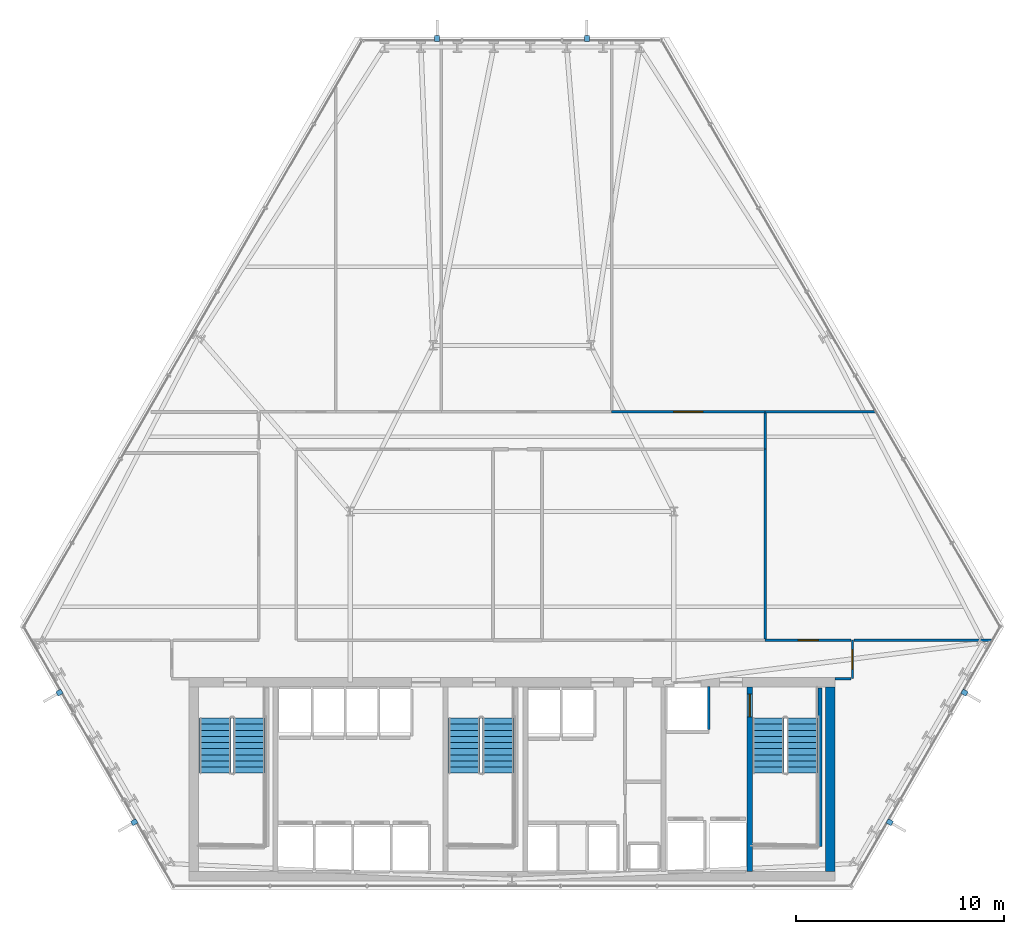
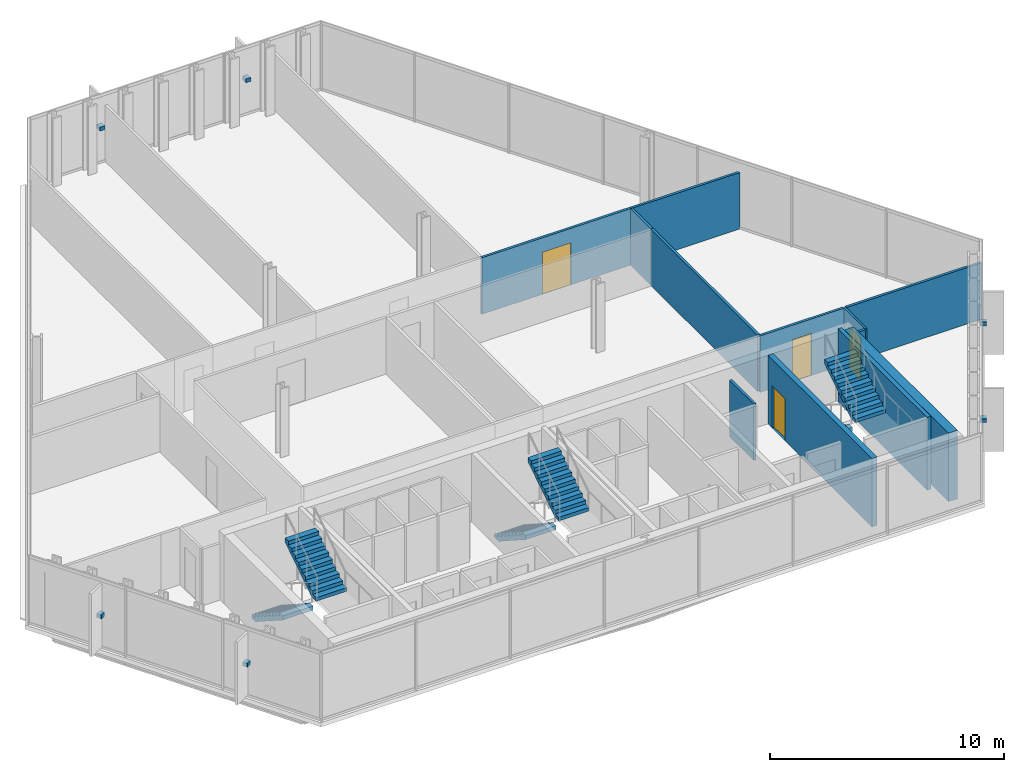
# One storey, part 29 of 33: 12 walls, 6 discrete accessories, 6 stair flights, 4 doors, 4 openings, 3 elements without a shape of their own.
"""IFC4 building model written with IfcOpenShell, lengths in metres."""

from ifc_helpers import new_model, si_unit, direction, frame, frame_2d, origin, origin_2d, place, context, subcontext, project, spatial, polyline, rectangle, outline, extrude, material, layer, layer_set, type_object, element, fill, aggregate, save


model = new_model("IFC4")

# Units and contexts
model_context = context("Model", 3, precision=1e-05, world=origin(), true_north=direction((0.0, 1.0)))
body_context = subcontext(model_context, "Body", "Model", "MODEL_VIEW")
ifc_project = project(units=[si_unit("LENGTHUNIT", "METRE"), si_unit("AREAUNIT", "SQUARE_METRE"), si_unit("VOLUMEUNIT", "CUBIC_METRE"), si_unit("PLANEANGLEUNIT", "RADIAN"), si_unit("MASSUNIT", "GRAM", prefix="KILO")], contexts=[model_context])

# Site, building, storey
site_placement = place(None, origin())
site = spatial("IfcSite", under=ifc_project, at=site_placement, CompositionType="ELEMENT")
building_placement = place(site_placement, origin())
building = spatial("IfcBuilding", under=site, at=building_placement, Name="Ndaravel Arena Tower", CompositionType="ELEMENT")
storey_placement = place(building_placement, frame((0.0, 0.0, 81.60009765625)))
storey = spatial("IfcBuildingStorey", under=building, at=storey_placement, Name="L18", CompositionType="ELEMENT", Elevation=81.60009765625)

# Wall, opening, door
ifc_material_1 = material(Name="Concrete C60/75", Category="concrete")
ifc_layer_1 = layer(ifc_material_1, 0.25)
ifc_layer_set_1 = layer_set([ifc_layer_1], Name="Concrete C60/75")
wall_type_1 = type_object("IfcWallType", Name="WALL-CORE-250", PredefinedType="SOLIDWALL", material=ifc_layer_set_1)
wall_1_placement = place(storey_placement, frame((53.449951171875, 5.85009765625, 0.0), z_axis=(0.0, 0.0, 1.0), x_axis=(0.0, 1.0, 0.0)))
wall_1 = element("IfcWall", 1, at=wall_1_placement, inside=storey, type_object=wall_type_1, Name="L18 Core Web Shear Wall 5", PredefinedType="SOLIDWALL", context=body_context, shape_type="SweptSolid", body=[
    extrude(rectangle(XDim=8.89990234375, YDim=0.25, at=frame_2d((4.449951171875, 0.0))), origin(), (0.0, 0.0, 1.0), 3.579833984375),
])
opening_1_placement = place(wall_1_placement, frame((7.449951171875, 0.0, 0.0)))
opening_1 = element("IfcOpeningElement", 2, at=opening_1_placement, cuts=wall_1, Name="Opening FD-01", PredefinedType="OPENING", context=body_context, shape_type="SweptSolid", body=[
    extrude(rectangle(XDim=1.10009765625, YDim=2.199951171875, at=frame_2d((0.550048828125, 1.10009765625))), frame((0.0, 0.125, 0.0), z_axis=(0.0, -1.0, 0.0), x_axis=(1.0, 0.0, 0.0)), (0.0, 0.0, 1.0), 0.25),
])
ifc_material_2 = material(Name="Steel S355", Category="steel")
door_type_1 = type_object("IfcDoorType", Name="DT-01-STAIR-1100", OperationType="SINGLE_SWING_LEFT", PredefinedType="DOOR", material=ifc_material_2)
door_1_placement = place(opening_1_placement, origin())
door_1 = element("IfcDoor", 3, at=door_1_placement, inside=storey, type_object=door_type_1, Name="L18 Firefighting Lobby to ST-3 Door", OperationType="SINGLE_SWING_LEFT", OverallHeight=2.199951171875, OverallWidth=1.10009765625, PredefinedType="DOOR", context=body_context, shape_type="SweptSolid", body=[
    extrude(rectangle(XDim=1.10009765625, YDim=2.199951171875, at=frame_2d((0.550048828125, 1.10009765625))), frame((0.0, 0.02490234375, 0.0), z_axis=(0.0, -1.0, 0.0), x_axis=(1.0, 0.0, 0.0)), (0.0, 0.0, 1.0), 0.050048828125),
])
fill(opening_1, door_1)

# Wall
ifc_material_3 = material(Name="Concrete C60/75", Category="concrete")
ifc_layer_2 = layer(ifc_material_3, 0.449951171875)
ifc_layer_set_2 = layer_set([ifc_layer_2], Name="Concrete C60/75")
wall_type_2 = type_object("IfcWallType", Name="WALL-CORE-450", PredefinedType="SOLIDWALL", material=ifc_layer_set_2)
wall_2_placement = place(storey_placement, frame((57.324951171875, 5.85009765625, 0.0), z_axis=(0.0, 0.0, 1.0), x_axis=(0.0, 1.0, 0.0)))
element("IfcWall", 4, at=wall_2_placement, inside=storey, type_object=wall_type_2, Name="L18 Core East Shear Wall", PredefinedType="SOLIDWALL", context=body_context, shape_type="SweptSolid", body=[
    extrude(rectangle(XDim=8.89990234375, YDim=0.449951171875, at=frame_2d((4.449951171875, 0.0))), origin(), (0.0, 0.0, 1.0), 3.579833984375),
])

# Wall, opening, door
ifc_material_4 = material(Name="Timber", Category="wood")
ifc_layer_3 = layer(ifc_material_4, 0.10009765625)
ifc_layer_set_3 = layer_set([ifc_layer_3], Name="Timber")
wall_type_3 = type_object("IfcWallType", Name="WALL-MOVABLE-100", PredefinedType="MOVABLE", material=ifc_layer_set_3)
wall_3_placement = place(storey_placement, frame((58.39990234375, 17.0, 0.0), z_axis=(0.0, 0.0, 1.0), x_axis=(0.0, -1.0, 0.0)))
wall_3 = element("IfcWall", 5, at=wall_3_placement, inside=storey, type_object=wall_type_3, Name="L18 Interior Partition 001", PredefinedType="MOVABLE", context=body_context, shape_type="SweptSolid", body=[
    extrude(rectangle(XDim=1.85009765625, YDim=0.10009765625, at=frame_2d((0.925048828125, 0.0))), origin(), (0.0, 0.0, 1.0), 2.949951171875),
])
opening_2_placement = place(wall_3_placement, frame((0.449951171875, 0.0, 0.0)))
opening_2 = element("IfcOpeningElement", 6, at=opening_2_placement, cuts=wall_3, Name="Opening ID-01", PredefinedType="OPENING", context=body_context, shape_type="SweptSolid", body=[
    extrude(rectangle(XDim=0.949951171875, YDim=2.199951171875, at=frame_2d((0.47509765625, 1.10009765625))), frame((0.0, 0.050048828125, 0.0), z_axis=(0.0, -1.0, 0.0), x_axis=(1.0, 0.0, 0.0)), (0.0, 0.0, 1.0), 0.10009765625),
])
ifc_material_5 = material(Name="Timber", Category="wood")
door_type_2 = type_object("IfcDoorType", Name="DT-03-OFFICE-950", OperationType="SINGLE_SWING_LEFT", PredefinedType="DOOR", material=ifc_material_5)
door_2_placement = place(opening_2_placement, origin())
door_2 = element("IfcDoor", 7, at=door_2_placement, inside=storey, type_object=door_type_2, Name="L18 Visitor Reception Desk Door", OperationType="SINGLE_SWING_RIGHT", OverallHeight=2.199951171875, OverallWidth=0.949951171875, PredefinedType="DOOR", context=body_context, shape_type="SweptSolid", body=[
    extrude(rectangle(XDim=0.949951171875, YDim=2.199951171875, at=frame_2d((0.47509765625, 1.10009765625))), frame((0.0, 0.02490234375, 0.0), z_axis=(0.0, -1.0, 0.0), x_axis=(1.0, 0.0, 0.0)), (0.0, 0.0, 1.0), 0.050048828125),
])
fill(opening_2, door_2)

# Wall
ifc_material_6 = material(Name="Gypsum", Category="gypsum")
ifc_layer_4 = layer(ifc_material_6, 0.125)
ifc_layer_set_4 = layer_set([ifc_layer_4], Name="Gypsum")
wall_type_4 = type_object("IfcWallType", Name="WALL-PART-125", PredefinedType="PARTITIONING", material=ifc_layer_set_4)
wall_4_placement = place(storey_placement, frame((58.3349609375, 15.14990234375, 0.0), z_axis=(0.0, 0.0, 1.0), x_axis=(-1.0, 0.0, 0.0)))
element("IfcWall", 8, at=wall_4_placement, inside=storey, type_object=wall_type_4, Name="L18 Interior Partition 002", PredefinedType="PARTITIONING", context=body_context, shape_type="SweptSolid", body=[
    extrude(rectangle(XDim=0.784912109375, YDim=0.125, at=frame_2d((0.392578125, 0.0))), origin(), (0.0, 0.0, 1.0), 2.949951171875),
])

# Wall, opening, door
wall_5_placement = place(storey_placement, frame((46.800048828125, 28.0, 0.0), z_axis=(0.0, 0.0, 1.0), x_axis=(1.0, 0.0, 0.0)))
wall_5 = element("IfcWall", 9, at=wall_5_placement, inside=storey, type_object=wall_type_4, Name="L18 Interior Partition 012", PredefinedType="PARTITIONING", context=body_context, shape_type="SweptSolid", body=[
    extrude(rectangle(XDim=7.39990234375, YDim=0.125, at=frame_2d((3.699951171875, 0.0))), origin(), (0.0, 0.0, 1.0), 2.949951171875),
])
opening_3_placement = place(wall_5_placement, frame((3.0, 0.0, 0.0)))
opening_3 = element("IfcOpeningElement", 10, at=opening_3_placement, cuts=wall_5, Name="Opening ID-02", PredefinedType="OPENING", context=body_context, shape_type="SweptSolid", body=[
    extrude(rectangle(XDim=1.39990234375, YDim=2.199951171875, at=frame_2d((0.699951171875, 1.10009765625))), frame((0.0, 0.0625, 0.0), z_axis=(0.0, -1.0, 0.0), x_axis=(1.0, 0.0, 0.0)), (0.0, 0.0, 1.0), 0.125),
])
ifc_material_7 = material(Name="Timber", Category="wood")
door_type_3 = type_object("IfcDoorType", Name="DT-04-SUITE-1400", OperationType="DOUBLE_DOOR_SINGLE_SWING", PredefinedType="DOOR", material=ifc_material_7)
door_3_placement = place(opening_3_placement, origin())
door_3 = element("IfcDoor", 11, at=door_3_placement, inside=storey, type_object=door_type_3, Name="L18 Tenant Reception Suite 3 Door", OperationType="SINGLE_SWING_RIGHT", OverallHeight=2.199951171875, OverallWidth=1.39990234375, PredefinedType="DOOR", context=body_context, shape_type="SweptSolid", body=[
    extrude(rectangle(XDim=1.39990234375, YDim=2.199951171875, at=frame_2d((0.699951171875, 1.10009765625))), frame((0.0, 0.02490234375, 0.0), z_axis=(0.0, -1.0, 0.0), x_axis=(1.0, 0.0, 0.0)), (0.0, 0.0, 1.0), 0.050048828125),
])
fill(opening_3, door_3)

# Wall
wall_6_placement = place(storey_placement, frame((54.199951171875, 27.93505859375, 0.0), z_axis=(0.0, 0.0, 1.0), x_axis=(0.0, -1.0, 0.0)))
element("IfcWall", 12, at=wall_6_placement, inside=storey, type_object=wall_type_4, Name="L18 Interior Partition 013", PredefinedType="PARTITIONING", context=body_context, shape_type="SweptSolid", body=[
    extrude(rectangle(XDim=1.735107421875, YDim=0.125, at=frame_2d((0.86767578125, 0.0))), origin(), (0.0, 0.0, 1.0), 2.949951171875),
])

# Wall, opening, door
wall_7_placement = place(storey_placement, frame((54.199951171875, 17.0, 0.0), z_axis=(0.0, 0.0, 1.0), x_axis=(1.0, 0.0, 0.0)))
wall_7 = element("IfcWall", 13, at=wall_7_placement, inside=storey, type_object=wall_type_4, Name="L18 Interior Partition 021", PredefinedType="PARTITIONING", context=body_context, shape_type="SweptSolid", body=[
    extrude(rectangle(XDim=4.135009765625, YDim=0.125, at=frame_2d((2.0673828125, 0.0))), origin(), (0.0, 0.0, 1.0), 2.949951171875),
])
opening_4_placement = place(wall_7_placement, frame((1.592529296875, 0.0, 0.0)))
opening_4 = element("IfcOpeningElement", 14, at=opening_4_placement, cuts=wall_7, Name="Opening ID-01", PredefinedType="OPENING", context=body_context, shape_type="SweptSolid", body=[
    extrude(rectangle(XDim=0.949951171875, YDim=2.199951171875, at=frame_2d((0.47509765625, 1.10009765625))), frame((0.0, 0.0625, 0.0), z_axis=(0.0, -1.0, 0.0), x_axis=(1.0, 0.0, 0.0)), (0.0, 0.0, 1.0), 0.125),
])
door_4_placement = place(opening_4_placement, origin())
door_4 = element("IfcDoor", 15, at=door_4_placement, inside=storey, type_object=door_type_2, Name="L18 Advisory Desk Office 3 Door", OperationType="SINGLE_SWING_LEFT", OverallHeight=2.199951171875, OverallWidth=0.949951171875, PredefinedType="DOOR", context=body_context, shape_type="SweptSolid", body=[
    extrude(rectangle(XDim=0.949951171875, YDim=2.199951171875, at=frame_2d((0.47509765625, 1.10009765625))), frame((0.0, 0.02490234375, 0.0), z_axis=(0.0, -1.0, 0.0), x_axis=(1.0, 0.0, 0.0)), (0.0, 0.0, 1.0), 0.050048828125),
])
fill(opening_4, door_4)

# Walls
wall_8_placement = place(storey_placement, frame((58.465087890625, 17.0, 0.0), z_axis=(0.0, 0.0, 1.0), x_axis=(1.0, 0.0, 0.0)))
element("IfcWall", 16, at=wall_8_placement, inside=storey, type_object=wall_type_4, Name="L18 Interior Partition 024", PredefinedType="PARTITIONING", context=body_context, shape_type="SweptSolid", body=[
    extrude(rectangle(XDim=6.6796875, YDim=0.125, at=frame_2d((3.33984375, 0.0))), origin(), (0.0, 0.0, 1.0), 2.949951171875),
])
wall_9_placement = place(storey_placement, frame((54.199951171875, 26.199951171875, 0.0), z_axis=(0.0, 0.0, 1.0), x_axis=(0.0, -1.0, 0.0)))
element("IfcWall", 17, at=wall_9_placement, inside=storey, type_object=wall_type_4, Name="L18 Interior Partition 028", PredefinedType="PARTITIONING", context=body_context, shape_type="SweptSolid", body=[
    extrude(rectangle(XDim=9.135009765625, YDim=0.125, at=frame_2d((4.5673828125, 0.0))), origin(), (0.0, 0.0, 1.0), 2.949951171875),
])
wall_10_placement = place(storey_placement, frame((54.199951171875, 28.0, 0.0), z_axis=(0.0, 0.0, 1.0), x_axis=(1.0, 0.0, 0.0)))
element("IfcWall", 18, at=wall_10_placement, inside=storey, type_object=wall_type_4, Name="L18 Interior Partition 029", PredefinedType="PARTITIONING", context=body_context, shape_type="SweptSolid", body=[
    extrude(rectangle(XDim=5.342041015625, YDim=0.125, at=frame_2d((2.6708984375, 0.0))), origin(), (0.0, 0.0, 1.0), 2.949951171875),
])
ifc_material_8 = material(Name="Concrete C40/50", Category="concrete")
ifc_layer_5 = layer(ifc_material_8, 0.1201171875)
ifc_layer_set_5 = layer_set([ifc_layer_5], Name="Concrete C40/50")
wall_type_5 = type_object("IfcWallType", Name="WALL-SHAFT-120", PredefinedType="SOLIDWALL", material=ifc_layer_set_5)
wall_11_placement = place(storey_placement, frame((51.47998046875, 12.68994140625, 0.0), z_axis=(0.0, 0.0, 1.0), x_axis=(0.0, 1.0, 0.0)))
element("IfcWall", 19, at=wall_11_placement, inside=storey, type_object=wall_type_5, Name="L18 SVL-1 Shaft E Wall", PredefinedType="SOLIDWALL", context=body_context, shape_type="SweptSolid", body=[
    extrude(rectangle(XDim=2.070068359375, YDim=0.1201171875, at=frame_2d((1.03515625, 0.0))), origin(), (0.0, 0.0, 1.0), 2.949951171875),
])
ifc_material_9 = material(Name="Concrete C40/50", Category="concrete")
ifc_layer_6 = layer(ifc_material_9, 0.199951171875)
ifc_layer_set_6 = layer_set([ifc_layer_6], Name="Concrete C40/50")
wall_type_6 = type_object("IfcWallType", Name="WALL-SHAFT-200", PredefinedType="SOLIDWALL", material=ifc_layer_set_6)
wall_12_placement = place(storey_placement, frame((56.840087890625, 14.699951171875, 0.0), z_axis=(0.0, 0.0, 1.0), x_axis=(0.0, -1.0, 0.0)))
element("IfcWall", 20, at=wall_12_placement, inside=storey, type_object=wall_type_6, Name="L18 ST-3 Structural Shaft Wall Right", PredefinedType="SOLIDWALL", context=body_context, shape_type="SweptSolid", body=[
    extrude(rectangle(XDim=7.64990234375, YDim=0.199951171875, at=frame_2d((3.824951171875, 0.0))), origin(), (0.0, 0.0, 1.0), 3.7998046875),
])

# Stair, stair flights
ifc_material_10 = material(Name="Concrete C40/50", Category="concrete")
stair_type = type_object("IfcStairType", Name="STAIR-CORE-HT", PredefinedType="HALF_TURN_STAIR", material=ifc_material_10)
stair_1_placement = place(storey_placement, origin())
stair_1 = element("IfcStair", 21, at=stair_1_placement, inside=storey, type_object=stair_type, Name="L18 ST-1", PredefinedType="HALF_TURN_STAIR")
ifc_material_11 = material(Name="Concrete C40/50", Category="concrete")
stair_flight_type = type_object("IfcStairFlightType", Name="SFLIGHT-CORE-1680", PredefinedType="STRAIGHT", material=ifc_material_11)
stair_flight_1_placement = place(storey_placement, frame((27.699951171875, 13.25, 0.0), z_axis=(0.0, 0.0, 1.0), x_axis=(0.0, -1.0, 0.0)))
stair_flight_1 = element("IfcStairFlight", 22, at=stair_flight_1_placement, type_object=stair_flight_type, Name="ST-1 flight 1", NumberOfRisers=10, NumberOfTreads=9, PredefinedType="STRAIGHT", RiserHeight=0.19, TreadLength=0.295, context=body_context, shape_type="SweptSolid", body=[
    extrude(outline(polyline([(0.0, 0.0), (0.0, 0.18994140625), (0.294921875, 0.18994140625), (0.294921875, 0.3798828125), (0.590087890625, 0.3798828125), (0.590087890625, 0.570068359375), (0.885009765625, 0.570068359375), (0.885009765625, 0.760009765625), (1.179931640625, 0.760009765625), (1.179931640625, 0.949951171875), (1.47509765625, 0.949951171875), (1.47509765625, 1.139892578125), (1.77001953125, 1.139892578125), (1.77001953125, 1.330078125), (2.06494140625, 1.330078125), (2.06494140625, 1.52001953125), (2.360107421875, 1.52001953125), (2.360107421875, 1.7099609375), (2.655029296875, 1.7099609375), (2.655029296875, 1.89990234375), (2.655029296875, 1.49609375), (0.332275390625, 0.0), (0.0, 0.0)])), frame((0.0, 0.75, 0.0), z_axis=(0.0, -1.0, 0.0), x_axis=(1.0, 0.0, 0.0)), (0.0, 0.0, 1.0), 1.5),
])
stair_flight_2_placement = place(storey_placement, frame((29.340087890625, 10.594970703125, 1.89990234375), z_axis=(0.0, 0.0, 1.0), x_axis=(0.0, 1.0, 0.0)))
stair_flight_2 = element("IfcStairFlight", 23, at=stair_flight_2_placement, type_object=stair_flight_type, Name="ST-1 flight 2", NumberOfRisers=10, NumberOfTreads=9, PredefinedType="STRAIGHT", RiserHeight=0.19, TreadLength=0.295, context=body_context, shape_type="SweptSolid", body=[
    extrude(outline(polyline([(0.0, 0.0), (0.0, 0.18994140625), (0.294921875, 0.18994140625), (0.294921875, 0.3798828125), (0.590087890625, 0.3798828125), (0.590087890625, 0.570068359375), (0.885009765625, 0.570068359375), (0.885009765625, 0.760009765625), (1.179931640625, 0.760009765625), (1.179931640625, 0.949951171875), (1.47509765625, 0.949951171875), (1.47509765625, 1.139892578125), (1.77001953125, 1.139892578125), (1.77001953125, 1.330078125), (2.06494140625, 1.330078125), (2.06494140625, 1.52001953125), (2.360107421875, 1.52001953125), (2.360107421875, 1.7099609375), (2.655029296875, 1.7099609375), (2.655029296875, 1.89990234375), (2.655029296875, 1.49609375), (0.332275390625, 0.0), (0.0, 0.0)])), frame((0.0, 0.75, 0.0), z_axis=(0.0, -1.0, 0.0), x_axis=(1.0, 0.0, 0.0)), (0.0, 0.0, 1.0), 1.5),
])
aggregate(stair_1, [stair_flight_1, stair_flight_2])

stair_2_placement = place(storey_placement, origin())
stair_2 = element("IfcStair", 24, at=stair_2_placement, inside=storey, type_object=stair_type, Name="L18 ST-2", PredefinedType="HALF_TURN_STAIR")
stair_flight_3_placement = place(storey_placement, frame((39.699951171875, 13.25, 0.0), z_axis=(0.0, 0.0, 1.0), x_axis=(0.0, -1.0, 0.0)))
stair_flight_3 = element("IfcStairFlight", 25, at=stair_flight_3_placement, type_object=stair_flight_type, Name="ST-2 flight 1", NumberOfRisers=10, NumberOfTreads=9, PredefinedType="STRAIGHT", RiserHeight=0.19, TreadLength=0.295, context=body_context, shape_type="SweptSolid", body=[
    extrude(outline(polyline([(0.0, 0.0), (0.0, 0.18994140625), (0.294921875, 0.18994140625), (0.294921875, 0.3798828125), (0.590087890625, 0.3798828125), (0.590087890625, 0.570068359375), (0.885009765625, 0.570068359375), (0.885009765625, 0.760009765625), (1.179931640625, 0.760009765625), (1.179931640625, 0.949951171875), (1.47509765625, 0.949951171875), (1.47509765625, 1.139892578125), (1.77001953125, 1.139892578125), (1.77001953125, 1.330078125), (2.06494140625, 1.330078125), (2.06494140625, 1.52001953125), (2.360107421875, 1.52001953125), (2.360107421875, 1.7099609375), (2.655029296875, 1.7099609375), (2.655029296875, 1.89990234375), (2.655029296875, 1.49609375), (0.332275390625, 0.0), (0.0, 0.0)])), frame((0.0, 0.75, 0.0), z_axis=(0.0, -1.0, 0.0), x_axis=(1.0, 0.0, 0.0)), (0.0, 0.0, 1.0), 1.5),
])
stair_flight_4_placement = place(storey_placement, frame((41.340087890625, 10.594970703125, 1.89990234375), z_axis=(0.0, 0.0, 1.0), x_axis=(0.0, 1.0, 0.0)))
stair_flight_4 = element("IfcStairFlight", 26, at=stair_flight_4_placement, type_object=stair_flight_type, Name="ST-2 flight 2", NumberOfRisers=10, NumberOfTreads=9, PredefinedType="STRAIGHT", RiserHeight=0.19, TreadLength=0.295, context=body_context, shape_type="SweptSolid", body=[
    extrude(outline(polyline([(0.0, 0.0), (0.0, 0.18994140625), (0.294921875, 0.18994140625), (0.294921875, 0.3798828125), (0.590087890625, 0.3798828125), (0.590087890625, 0.570068359375), (0.885009765625, 0.570068359375), (0.885009765625, 0.760009765625), (1.179931640625, 0.760009765625), (1.179931640625, 0.949951171875), (1.47509765625, 0.949951171875), (1.47509765625, 1.139892578125), (1.77001953125, 1.139892578125), (1.77001953125, 1.330078125), (2.06494140625, 1.330078125), (2.06494140625, 1.52001953125), (2.360107421875, 1.52001953125), (2.360107421875, 1.7099609375), (2.655029296875, 1.7099609375), (2.655029296875, 1.89990234375), (2.655029296875, 1.49609375), (0.332275390625, 0.0), (0.0, 0.0)])), frame((0.0, 0.75, 0.0), z_axis=(0.0, -1.0, 0.0), x_axis=(1.0, 0.0, 0.0)), (0.0, 0.0, 1.0), 1.5),
])
aggregate(stair_2, [stair_flight_3, stair_flight_4])

stair_3_placement = place(storey_placement, origin())
stair_3 = element("IfcStair", 27, at=stair_3_placement, inside=storey, type_object=stair_type, Name="L18 ST-3", PredefinedType="HALF_TURN_STAIR")
stair_flight_5_placement = place(storey_placement, frame((54.35009765625, 13.25, 0.0), z_axis=(0.0, 0.0, 1.0), x_axis=(0.0, -1.0, 0.0)))
stair_flight_5 = element("IfcStairFlight", 28, at=stair_flight_5_placement, type_object=stair_flight_type, Name="ST-3 flight 1", NumberOfRisers=10, NumberOfTreads=9, PredefinedType="STRAIGHT", RiserHeight=0.19, TreadLength=0.295, context=body_context, shape_type="SweptSolid", body=[
    extrude(outline(polyline([(0.0, 0.0), (0.0, 0.18994140625), (0.294921875, 0.18994140625), (0.294921875, 0.3798828125), (0.590087890625, 0.3798828125), (0.590087890625, 0.570068359375), (0.885009765625, 0.570068359375), (0.885009765625, 0.760009765625), (1.179931640625, 0.760009765625), (1.179931640625, 0.949951171875), (1.47509765625, 0.949951171875), (1.47509765625, 1.139892578125), (1.77001953125, 1.139892578125), (1.77001953125, 1.330078125), (2.06494140625, 1.330078125), (2.06494140625, 1.52001953125), (2.360107421875, 1.52001953125), (2.360107421875, 1.7099609375), (2.655029296875, 1.7099609375), (2.655029296875, 1.89990234375), (2.655029296875, 1.49609375), (0.332275390625, 0.0), (0.0, 0.0)])), frame((0.0, 0.75, 0.0), z_axis=(0.0, -1.0, 0.0), x_axis=(1.0, 0.0, 0.0)), (0.0, 0.0, 1.0), 1.5),
])
stair_flight_6_placement = place(storey_placement, frame((55.989990234375, 10.594970703125, 1.89990234375), z_axis=(0.0, 0.0, 1.0), x_axis=(0.0, 1.0, 0.0)))
stair_flight_6 = element("IfcStairFlight", 29, at=stair_flight_6_placement, type_object=stair_flight_type, Name="ST-3 flight 2", NumberOfRisers=10, NumberOfTreads=9, PredefinedType="STRAIGHT", RiserHeight=0.19, TreadLength=0.295, context=body_context, shape_type="SweptSolid", body=[
    extrude(outline(polyline([(0.0, 0.0), (0.0, 0.18994140625), (0.294921875, 0.18994140625), (0.294921875, 0.3798828125), (0.590087890625, 0.3798828125), (0.590087890625, 0.570068359375), (0.885009765625, 0.570068359375), (0.885009765625, 0.760009765625), (1.179931640625, 0.760009765625), (1.179931640625, 0.949951171875), (1.47509765625, 0.949951171875), (1.47509765625, 1.139892578125), (1.77001953125, 1.139892578125), (1.77001953125, 1.330078125), (2.06494140625, 1.330078125), (2.06494140625, 1.52001953125), (2.360107421875, 1.52001953125), (2.360107421875, 1.7099609375), (2.655029296875, 1.7099609375), (2.655029296875, 1.89990234375), (2.655029296875, 1.49609375), (0.332275390625, 0.0), (0.0, 0.0)])), frame((0.0, 0.75, 0.0), z_axis=(0.0, -1.0, 0.0), x_axis=(1.0, 0.0, 0.0)), (0.0, 0.0, 1.0), 1.5),
])
aggregate(stair_3, [stair_flight_5, stair_flight_6])

# Discrete accessories
ifc_material_12 = material(Name="Steel S355", Category="steel")
discrete_accessory_type = type_object("IfcDiscreteAccessoryType", Name="ACC-BRACKET-FIN", PredefinedType="BRACKET", material=ifc_material_12)
for number, where, z_axis, x_axis, name in (
    (30, (60.197998046875, 8.23193359375, 1.68994140625), (0.0, 0.0, 1.0), (0.866025403784, -0.5, 0.0), "L18 Mazeras Stone Solar Fin E2.1 Bracket"),
    (31, (63.802978515625, 14.475830078125, 1.68994140625), (0.0, 0.0, 1.0), (0.866025403784, -0.5, 0.0), "L18 Mazeras Stone Solar Fin E2.2 Bracket"),
    (32, (45.60498046875, 45.995849609375, 1.68994140625), (0.0, 0.0, 1.0), (0.0, 1.0, 0.0), "L18 Mazeras Stone Solar Fin E4.1 Bracket"),
    (33, (38.39501953125, 45.995849609375, 1.68994140625), (0.0, 0.0, 1.0), (0.0, 1.0, 0.0), "L18 Mazeras Stone Solar Fin E4.2 Bracket"),
    (34, (20.197021484375, 14.475830078125, 1.68994140625), (0.0, 0.0, 1.0), (-0.866025403784, -0.5, 0.0), "L18 Mazeras Stone Solar Fin E6.1 Bracket"),
    (35, (23.802001953125, 8.23193359375, 1.68994140625), (0.0, 0.0, 1.0), (-0.866025403784, -0.5, 0.0), "L18 Mazeras Stone Solar Fin E6.2 Bracket"),
):
    element("IfcDiscreteAccessory", number, at=place(storey_placement, frame(where, z_axis=z_axis, x_axis=x_axis)), inside=storey, type_object=discrete_accessory_type, Name=name, PredefinedType="BRACKET", context=body_context, shape_type="SweptSolid", body=[
        extrude(rectangle(XDim=0.280029296875, YDim=0.239990234375, at=origin_2d()), origin(), (0.0, 0.0, 1.0), 0.199951171875),
    ])

save(model, "model.ifc")
